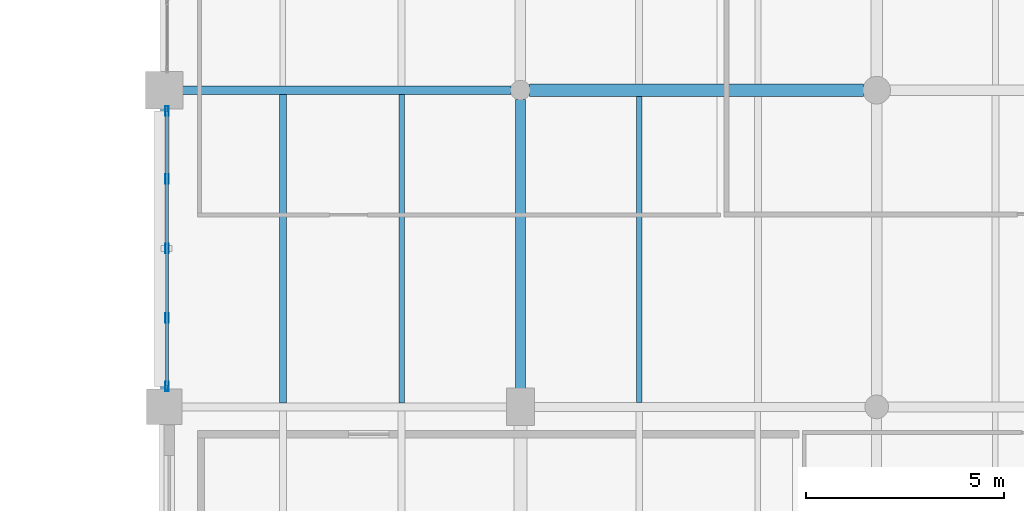
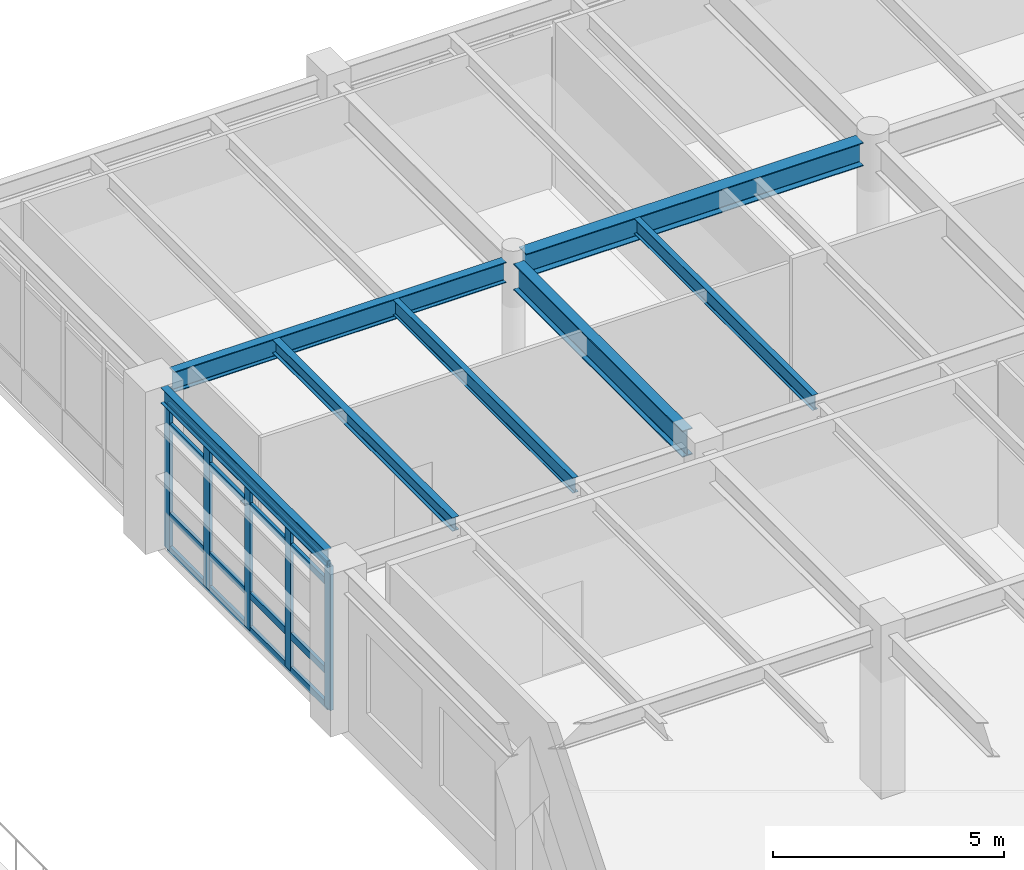
# One storey, part 87 of 168: 9 members, 7 beams, 1 element without a shape of its own.
"""IFC4 building model written with IfcOpenShell, lengths in metres."""

import ifcopenshell
import ifcopenshell.guid

model = None  # the IFC model being written
_history = None  # IfcOwnerHistory: only IFC2X3 demands one
_inside = {}  # id of a spatial element -> (the spatial element, [elements in it])
_under = {}  # id of a project, library or spatial element -> (it, [spatial elements below it])
_declared = {}  # id of a project -> (the project, [libraries it declares])
_typed = {}  # id of a type object -> (the type object, [elements of that type])
_made_of = {}  # id of a material, layer set ... -> (it, [elements and type objects made of it])


def new_model(schema):
    """Start an empty IFC model of exactly this schema.

    Asked for "IFC4X3", IfcOpenShell would pick the latest addendum, in which some entities
    have other attributes; the version numbers below select the first issue.
    IFC2X3 requires an IfcOwnerHistory on every rooted entity: one is made here for all.
    """
    global model, _history
    if schema == "IFC4X3":
        model = ifcopenshell.file(schema_version=(4, 3, 0, 0))
    else:
        model = ifcopenshell.file(schema=schema)
    _inside.clear()
    _under.clear()
    _declared.clear()
    _typed.clear()
    _made_of.clear()
    _history = None
    if model.schema == "IFC2X3":
        org = make("IfcOrganization", Name="unknown")
        user = make(
            "IfcPersonAndOrganization",
            ThePerson=make("IfcPerson", FamilyName="unknown"),
            TheOrganization=org,
        )
        app = make(
            "IfcApplication",
            ApplicationDeveloper=org,
            Version="unknown",
            ApplicationFullName="unknown",
            ApplicationIdentifier="unknown",
        )
        _history = make(
            "IfcOwnerHistory",
            OwningUser=user,
            OwningApplication=app,
            ChangeAction="ADDED",
            CreationDate=0,
        )
    return model


def make(cls, **values):
    """One entity of the class cls with the attributes given. An attribute that is None is left unset."""
    return model.create_entity(
        cls, **{name: value for name, value in values.items() if value is not None}
    )


def rooted(cls, **values):
    """An entity with a GlobalId (a new one), such as an element, a storey or a relation."""
    return make(cls, GlobalId=ifcopenshell.guid.new(), OwnerHistory=_history, **values)


def si_unit(unit_type, name, prefix=None):
    """IfcSIUnit, for example si_unit("LENGTHUNIT", "METRE", prefix="MILLI")."""
    return make("IfcSIUnit", UnitType=unit_type, Prefix=prefix, Name=name)


def assignment(units):
    """IfcUnitAssignment: the units of a project."""
    return None if units is None else make("IfcUnitAssignment", Units=units)


def point(xyz):
    """IfcCartesianPoint."""
    return None if xyz is None else make("IfcCartesianPoint", Coordinates=xyz)


def direction(xyz):
    """IfcDirection."""
    return None if xyz is None else make("IfcDirection", DirectionRatios=xyz)


def frame(location, z_axis=None, x_axis=None):
    """IfcAxis2Placement3D, a coordinate frame: its origin and axes. An axis left out is left unset."""
    return make(
        "IfcAxis2Placement3D",
        Location=point(location),
        Axis=direction(z_axis),
        RefDirection=direction(x_axis),
    )


def frame_2d(location, x_axis=None):
    """IfcAxis2Placement2D, a coordinate frame in the plane: its origin and x axis."""
    return make(
        "IfcAxis2Placement2D", Location=point(location), RefDirection=direction(x_axis)
    )


def origin():
    """The frame at (0, 0, 0) with its axes left unset."""
    return frame((0.0, 0.0, 0.0))


def origin_2d():
    """The frame at (0, 0) in the plane with its x axis left unset."""
    return frame_2d((0.0, 0.0))


def place(relative_to, where):
    """IfcLocalPlacement: puts the frame where relative to a parent placement (None: the world)."""
    return make(
        "IfcLocalPlacement", PlacementRelTo=relative_to, RelativePlacement=where
    )


def context(
    kind, dimensions, precision=None, world=None, true_north=None, identifier=None
):
    """IfcGeometricRepresentationContext, for example the 3D "Model" context."""
    return make(
        "IfcGeometricRepresentationContext",
        ContextIdentifier=identifier,
        ContextType=kind,
        CoordinateSpaceDimension=dimensions,
        Precision=precision,
        WorldCoordinateSystem=world,
        TrueNorth=true_north,
    )


def subcontext(parent, identifier, kind, view, scale=None):
    """IfcGeometricRepresentationSubContext, for example "Body" below "Model"."""
    return make(
        "IfcGeometricRepresentationSubContext",
        ContextIdentifier=identifier,
        ContextType=kind,
        ParentContext=parent,
        TargetScale=scale,
        TargetView=view,
    )


def project(units=None, contexts=None):
    """IfcProject with its units and contexts."""
    return rooted(
        "IfcProject",
        Name="project",
        RepresentationContexts=contexts,
        UnitsInContext=assignment(units),
    )


def spatial(cls, under=None, at=None, **own):
    """A site, building, storey or space (cls), placed at a placement, below another one or the project."""
    s = rooted(cls, ObjectPlacement=at, **own)
    if under is not None:
        _under.setdefault(under.id(), (under, []))[1].append(s)
    return s


def profile(cls, at=None, kind="AREA", **sizes):
    """A parametric profile (cls). Its sizes go by their IFC names, for example OverallWidth=200.0."""
    return make(cls, ProfileType=kind, Position=at, **sizes)


def hollow_rectangle(**sizes):
    """IfcRectangleHollowProfileDef."""
    return profile("IfcRectangleHollowProfileDef", **sizes)


def i_section(**sizes):
    """IfcIShapeProfileDef."""
    return profile("IfcIShapeProfileDef", **sizes)


def extrude(swept, where, along, depth):
    """IfcExtrudedAreaSolid: the profile swept, set in the frame where, extruded along a direction by depth."""
    return make(
        "IfcExtrudedAreaSolid",
        SweptArea=swept,
        Position=where,
        ExtrudedDirection=direction(along),
        Depth=depth,
    )


def shape(context_of_items, identifier, shape_type, items):
    """IfcShapeRepresentation: the items that make up one representation, for example the "Body"."""
    return make(
        "IfcShapeRepresentation",
        ContextOfItems=context_of_items,
        RepresentationIdentifier=identifier,
        RepresentationType=shape_type,
        Items=items,
    )


def material(Name=None, Category=None):
    """IfcMaterial."""
    return make("IfcMaterial", Name=Name, Category=Category)


def material_profile(
    of_material, cross_section, Name=None, Category=None, Priority=None
):
    """IfcMaterialProfile: a cross section and its material."""
    return make(
        "IfcMaterialProfile",
        Name=Name,
        Material=of_material,
        Profile=cross_section,
        Priority=Priority,
        Category=Category,
    )


def profile_set(profiles, Name=None, composite=None):
    """IfcMaterialProfileSet."""
    return make(
        "IfcMaterialProfileSet",
        Name=Name,
        MaterialProfiles=profiles,
        CompositeProfile=composite,
    )


def made_of(thing, what):
    """Note that an element or type object is made of a material, layer set ...; save() writes the relation."""
    if what is not None:
        _made_of.setdefault(what.id(), (what, []))[1].append(thing)
    return thing


def type_object(cls, material=None, **own):
    """A type object (cls), such as IfcWallType, which elements share."""
    return made_of(rooted(cls, **own), material)


def element(
    cls,
    number,
    at=None,
    inside=None,
    cuts=None,
    type_object=None,
    material=None,
    context=None,
    identifier="Body",
    shape_type=None,
    held_by="IfcProductDefinitionShape",
    body=None,
    shapes=None,
    **own,
):
    """One element of the class cls, such as IfcWall. Its Tag is "e" and its number.

    at: its placement. inside: the storey or other place that contains it. cuts: it is an
    opening in that element (IfcRelVoidsElement). A single representation is given by context,
    identifier, shape_type and body (its items); several are given by shapes. held_by: the class
    of the entity that holds the representations. save() writes the other relations.
    """
    e = rooted(cls, Tag="e%d" % number, ObjectPlacement=at, **own)
    if body is not None:
        shapes = [shape(context, identifier, shape_type, body)]
    if shapes is not None:
        e.Representation = make(held_by, Representations=shapes)
    if inside is not None:
        _inside.setdefault(inside.id(), (inside, []))[1].append(e)
    if cuts is not None:
        rooted(
            "IfcRelVoidsElement", RelatingBuildingElement=cuts, RelatedOpeningElement=e
        )
    if type_object is not None:
        _typed.setdefault(type_object.id(), (type_object, []))[1].append(e)
    return made_of(e, material)


def aggregate(whole, parts):
    """IfcRelAggregates: a whole, such as a stair, and the parts it consists of."""
    return rooted("IfcRelAggregates", RelatingObject=whole, RelatedObjects=parts)


def save(model, path):
    """Write the relations noted so far, then the file.

    IfcRelAggregates (storeys below a building ...), IfcRelContainedInSpatialStructure (elements
    in a storey), IfcRelDefinesByType, IfcRelAssociatesMaterial and IfcRelDeclares: one each for
    every whole, place, type object, material and project.
    """
    for whole, parts in _under.values():
        aggregate(whole, parts)
    for where, things in _inside.values():
        rooted(
            "IfcRelContainedInSpatialStructure",
            RelatedElements=things,
            RelatingStructure=where,
        )
    for kind, things in _typed.values():
        rooted("IfcRelDefinesByType", RelatedObjects=things, RelatingType=kind)
    for what, things in _made_of.values():
        rooted("IfcRelAssociatesMaterial", RelatedObjects=things, RelatingMaterial=what)
    for by, libraries in _declared.values():
        rooted("IfcRelDeclares", RelatingContext=by, RelatedDefinitions=libraries)
    model.write(path)


model = new_model("IFC4")

# Units and contexts
model_context = context("Model", 3, precision=1e-05, world=origin(), true_north=direction((0.0, 1.0)))
body_context = subcontext(model_context, "Body", "Model", "MODEL_VIEW")
ifc_project = project(units=[si_unit("LENGTHUNIT", "METRE"), si_unit("AREAUNIT", "SQUARE_METRE"), si_unit("VOLUMEUNIT", "CUBIC_METRE"), si_unit("PLANEANGLEUNIT", "RADIAN"), si_unit("MASSUNIT", "GRAM", prefix="KILO"), si_unit("THERMODYNAMICTEMPERATUREUNIT", "KELVIN"), si_unit("POWERUNIT", "WATT")], contexts=[model_context])

# Site, building, storey
site_placement = place(None, origin())
site = spatial("IfcSite", under=ifc_project, at=site_placement, CompositionType="ELEMENT")
building_placement = place(site_placement, origin())
building = spatial("IfcBuilding", under=site, at=building_placement, Name="Tepalcoro Natatorium and Aquatics Centre", CompositionType="ELEMENT")
storey_placement = place(building_placement, frame((0.0, 0.0, 10.199951171875)))
storey = spatial("IfcBuildingStorey", under=building, at=storey_placement, Name="L02", CompositionType="ELEMENT", Elevation=10.199951171875)

# Beams
ifc_material_1 = material(Name="Steel ASTM A992 Grade 50 (Fy 345 MPa)", Category="steel")
ifc_material_profile_1 = material_profile(ifc_material_1, i_section(OverallWidth=0.2119140625, OverallDepth=0.5439453125, WebThickness=0.012939453125, FlangeThickness=0.02099609375, FilletRadius=0.013916015625, at=origin_2d()), Name="W21X83")
ifc_profile_set_1 = profile_set([ifc_material_profile_1], Name="Steel ASTM A992 Grade 50 (Fy 345 MPa)")
beam_type_1 = type_object("IfcBeamType", Name="BM_W21x83", PredefinedType="BEAM", material=ifc_profile_set_1)
beam_1_placement = place(storey_placement, frame((98.4599609375, 110.0, 4.012939453125), z_axis=(1.0, 0.0, 0.0), x_axis=(0.0, 1.0, 0.0)))
element("IfcBeam", 1, at=beam_1_placement, inside=storey, type_object=beam_type_1, Name="V5 L02 Grid Girder X", PredefinedType="BEAM", context=body_context, shape_type="SweptSolid", body=[
    extrude(i_section(OverallWidth=0.2119140625, OverallDepth=0.5439453125, WebThickness=0.012939453125, FlangeThickness=0.02099609375, FilletRadius=0.013916015625, at=origin_2d()), origin(), (0.0, 0.0, 1.0), 8.304931640625),
])
ifc_material_profile_2 = material_profile(ifc_material_1, i_section(OverallWidth=0.324951171875, OverallDepth=0.616943359375, WebThickness=0.013916015625, FlangeThickness=0.02197265625, FilletRadius=0.013916015625, at=origin_2d()), Name="W24X117")
ifc_profile_set_2 = profile_set([ifc_material_profile_2], Name="Steel ASTM A992 Grade 50 (Fy 345 MPa)")
beam_type_2 = type_object("IfcBeamType", Name="BM_W24x117", PredefinedType="BEAM", material=ifc_profile_set_2)
beam_2_placement = place(storey_placement, frame((107.235107421875, 110.0, 4.056640625), z_axis=(1.0, 0.0, 0.0), x_axis=(0.0, 1.0, 0.0)))
element("IfcBeam", 2, at=beam_2_placement, inside=storey, type_object=beam_type_2, Name="V5 L02 Grid Girder X", PredefinedType="BEAM", context=body_context, shape_type="SweptSolid", body=[
    extrude(i_section(OverallWidth=0.324951171875, OverallDepth=0.616943359375, WebThickness=0.013916015625, FlangeThickness=0.02197265625, FilletRadius=0.013916015625, at=origin_2d()), origin(), (0.0, 0.0, 1.0), 8.429931640625),
])
ifc_material_profile_3 = material_profile(ifc_material_1, i_section(OverallWidth=0.25390625, OverallDepth=0.700927734375, WebThickness=0.014892578125, FlangeThickness=0.028076171875, FilletRadius=0.013916015625, at=origin_2d()), Name="W27X129")
ifc_profile_set_3 = profile_set([ifc_material_profile_3], Name="Steel ASTM A992 Grade 50 (Fy 345 MPa)")
beam_type_3 = type_object("IfcBeamType", Name="BM_W27x129", PredefinedType="BEAM", material=ifc_profile_set_3)
beam_3_placement = place(storey_placement, frame((107.0, 102.4599609375, 3.9345703125), z_axis=(0.0, 1.0, 0.0), x_axis=(-1.0, 0.0, 0.0)))
element("IfcBeam", 3, at=beam_3_placement, inside=storey, type_object=beam_type_3, Name="V5 L02 Grid Girder Y", PredefinedType="BEAM", context=body_context, shape_type="SweptSolid", body=[
    extrude(i_section(OverallWidth=0.25390625, OverallDepth=0.700927734375, WebThickness=0.014892578125, FlangeThickness=0.028076171875, FilletRadius=0.013916015625, at=origin_2d()), origin(), (0.0, 0.0, 1.0), 7.304931640625),
])

# Curtain wall, members
ifc_material_2 = material(Name="Bronze-Anodised Extruded Aluminium Alloy EN AW-6063 T6", Category="aluminium")
curtain_wall_type = type_object("IfcCurtainWallType", Name="CW_LEAN_T1_EW", PredefinedType="USERDEFINED", material=ifc_material_2)
curtain_wall_placement = place(storey_placement, origin())
curtain_wall = element("IfcCurtainWall", 4, at=curtain_wall_placement, inside=storey, type_object=curtain_wall_type, Name="V5 L02 W Unitised Curtain Wall Bay 3", ObjectType="FACETED SOLAR GLAZING", PredefinedType="USERDEFINED")
ifc_material_profile_4 = material_profile(ifc_material_2, hollow_rectangle(XDim=0.080078125, YDim=0.239990234375, WallThickness=0.0048828125, at=origin_2d()), Name="AL80X240X5")
ifc_profile_set_4 = profile_set([ifc_material_profile_4], Name="Bronze-Anodised Extruded Aluminium Alloy EN AW-6063 T6")
member_type_1 = type_object("IfcMemberType", Name="CW_MUL_80x240", PredefinedType="MULLION", material=ifc_profile_set_4)
member_1_placement = place(storey_placement, frame((98.0712890625, 102.52001953125, 0.02001953125), z_axis=(0.0, 0.0, 1.0), x_axis=(1.0, 0.0, 0.0)))
member_1 = element("IfcMember", 5, at=member_1_placement, type_object=member_type_1, Name="CW_LEAN_T1_EW Curtain Wall Mullion", PredefinedType="MULLION", context=body_context, shape_type="SweptSolid", body=[
    extrude(hollow_rectangle(XDim=0.080078125, YDim=0.239990234375, WallThickness=0.0048828125, at=origin_2d()), origin(), (0.0, 0.0, 1.0), 3.817138671875),
])
member_2_placement = place(storey_placement, frame((98.0712890625, 104.239990234375, 0.02001953125), z_axis=(0.0, 0.0, 1.0), x_axis=(1.0, 0.0, 0.0)))
member_2 = element("IfcMember", 6, at=member_2_placement, type_object=member_type_1, Name="CW_LEAN_T1_EW Curtain Wall Mullion", PredefinedType="MULLION", context=body_context, shape_type="SweptSolid", body=[
    extrude(hollow_rectangle(XDim=0.080078125, YDim=0.239990234375, WallThickness=0.0048828125, at=origin_2d()), origin(), (0.0, 0.0, 1.0), 3.817138671875),
])
member_3_placement = place(storey_placement, frame((98.0712890625, 106.0, 0.02001953125), z_axis=(0.0, 0.0, 1.0), x_axis=(1.0, 0.0, 0.0)))
member_3 = element("IfcMember", 7, at=member_3_placement, type_object=member_type_1, Name="CW_LEAN_T1_EW Curtain Wall Mullion", PredefinedType="MULLION", context=body_context, shape_type="SweptSolid", body=[
    extrude(hollow_rectangle(XDim=0.080078125, YDim=0.239990234375, WallThickness=0.0048828125, at=origin_2d()), origin(), (0.0, 0.0, 1.0), 3.817138671875),
])
member_4_placement = place(storey_placement, frame((98.0712890625, 107.760009765625, 0.02001953125), z_axis=(0.0, 0.0, 1.0), x_axis=(1.0, 0.0, 0.0)))
member_4 = element("IfcMember", 8, at=member_4_placement, type_object=member_type_1, Name="CW_LEAN_T1_EW Curtain Wall Mullion", PredefinedType="MULLION", context=body_context, shape_type="SweptSolid", body=[
    extrude(hollow_rectangle(XDim=0.080078125, YDim=0.239990234375, WallThickness=0.0048828125, at=origin_2d()), origin(), (0.0, 0.0, 1.0), 3.817138671875),
])
member_5_placement = place(storey_placement, frame((98.0712890625, 109.47998046875, 0.02001953125), z_axis=(0.0, 0.0, 1.0), x_axis=(1.0, 0.0, 0.0)))
member_5 = element("IfcMember", 9, at=member_5_placement, type_object=member_type_1, Name="CW_LEAN_T1_EW Curtain Wall Mullion", PredefinedType="MULLION", context=body_context, shape_type="SweptSolid", body=[
    extrude(hollow_rectangle(XDim=0.080078125, YDim=0.239990234375, WallThickness=0.0048828125, at=origin_2d()), origin(), (0.0, 0.0, 1.0), 3.817138671875),
])
ifc_material_profile_5 = material_profile(ifc_material_2, hollow_rectangle(XDim=0.080078125, YDim=0.179931640625, WallThickness=0.0048828125, at=origin_2d()), Name="AL80X180X5")
ifc_profile_set_5 = profile_set([ifc_material_profile_5], Name="Bronze-Anodised Extruded Aluminium Alloy EN AW-6063 T6")
member_type_2 = type_object("IfcMemberType", Name="CW_TRN_80x180", PredefinedType="USERDEFINED", material=ifc_profile_set_5)
member_6_placement = place(storey_placement, frame((98.0712890625, 102.530029296875, 0.050048828125), z_axis=(0.0, 1.0, 0.0), x_axis=(-1.0, 0.0, 0.0)))
member_6 = element("IfcMember", 10, at=member_6_placement, type_object=member_type_2, Name="CW_LEAN_T1_EW Curtain Wall Transom", ObjectType="TRANSOM", PredefinedType="USERDEFINED", context=body_context, shape_type="SweptSolid", body=[
    extrude(hollow_rectangle(XDim=0.080078125, YDim=0.179931640625, WallThickness=0.0048828125, at=origin_2d()), origin(), (0.0, 0.0, 1.0), 6.93994140625),
])
member_7_placement = place(storey_placement, frame((98.0712890625, 102.530029296875, 0.949951171875), z_axis=(0.0, 1.0, 0.0), x_axis=(-1.0, 0.0, 0.0)))
member_7 = element("IfcMember", 11, at=member_7_placement, type_object=member_type_2, Name="CW_LEAN_T1_EW Curtain Wall Transom", ObjectType="TRANSOM", PredefinedType="USERDEFINED", context=body_context, shape_type="SweptSolid", body=[
    extrude(hollow_rectangle(XDim=0.080078125, YDim=0.179931640625, WallThickness=0.0048828125, at=origin_2d()), origin(), (0.0, 0.0, 1.0), 6.93994140625),
])
member_8_placement = place(storey_placement, frame((98.0712890625, 102.530029296875, 3.30712890625), z_axis=(0.0, 1.0, 0.0), x_axis=(-1.0, 0.0, 0.0)))
member_8 = element("IfcMember", 12, at=member_8_placement, type_object=member_type_2, Name="CW_LEAN_T1_EW Curtain Wall Transom", ObjectType="TRANSOM", PredefinedType="USERDEFINED", context=body_context, shape_type="SweptSolid", body=[
    extrude(hollow_rectangle(XDim=0.080078125, YDim=0.179931640625, WallThickness=0.0048828125, at=origin_2d()), origin(), (0.0, 0.0, 1.0), 6.93994140625),
])
member_9_placement = place(storey_placement, frame((98.0712890625, 102.530029296875, 3.80712890625), z_axis=(0.0, 1.0, 0.0), x_axis=(-1.0, 0.0, 0.0)))
member_9 = element("IfcMember", 13, at=member_9_placement, type_object=member_type_2, Name="CW_LEAN_T1_EW Curtain Wall Transom", ObjectType="TRANSOM", PredefinedType="USERDEFINED", context=body_context, shape_type="SweptSolid", body=[
    extrude(hollow_rectangle(XDim=0.080078125, YDim=0.179931640625, WallThickness=0.0048828125, at=origin_2d()), origin(), (0.0, 0.0, 1.0), 6.93994140625),
])
aggregate(curtain_wall, [member_1, member_2, member_3, member_4, member_5, member_6, member_7, member_8, member_9])

# Beams
ifc_material_profile_6 = material_profile(ifc_material_1, i_section(OverallWidth=0.172119140625, OverallDepth=0.35791015625, WebThickness=0.008056640625, FlangeThickness=0.012939453125, FilletRadius=0.013916015625, at=origin_2d()), Name="W14X38")
ifc_profile_set_6 = profile_set([ifc_material_profile_6], Name="Steel ASTM A992 Grade 50 (Fy 345 MPa)")
beam_type_4 = type_object("IfcBeamType", Name="JS_W14x38", PredefinedType="JOIST", material=ifc_profile_set_6)
beam_4_placement = place(storey_placement, frame((101.0, 102.10498046875, 4.10595703125), z_axis=(0.0, 1.0, 0.0), x_axis=(-1.0, 0.0, 0.0)))
element("IfcBeam", 14, at=beam_4_placement, inside=storey, type_object=beam_type_4, Name="V5 L02 Floor Joist", PredefinedType="JOIST", context=body_context, shape_type="SweptSolid", body=[
    extrude(i_section(OverallWidth=0.172119140625, OverallDepth=0.35791015625, WebThickness=0.008056640625, FlangeThickness=0.012939453125, FilletRadius=0.013916015625, at=origin_2d()), origin(), (0.0, 0.0, 1.0), 7.7890625),
])
ifc_material_profile_7 = material_profile(ifc_material_1, i_section(OverallWidth=0.139892578125, OverallDepth=0.404052734375, WebThickness=0.007080078125, FlangeThickness=0.010986328125, FilletRadius=0.013916015625, at=origin_2d()), Name="W16X31")
ifc_profile_set_7 = profile_set([ifc_material_profile_7], Name="Steel ASTM A992 Grade 50 (Fy 345 MPa)")
beam_type_5 = type_object("IfcBeamType", Name="JS_W16x31", PredefinedType="JOIST", material=ifc_profile_set_7)
beam_5_placement = place(storey_placement, frame((104.0, 102.10498046875, 4.0830078125), z_axis=(0.0, 1.0, 0.0), x_axis=(-1.0, 0.0, 0.0)))
element("IfcBeam", 15, at=beam_5_placement, inside=storey, type_object=beam_type_5, Name="V5 L02 Floor Joist", PredefinedType="JOIST", context=body_context, shape_type="SweptSolid", body=[
    extrude(i_section(OverallWidth=0.139892578125, OverallDepth=0.404052734375, WebThickness=0.007080078125, FlangeThickness=0.010986328125, FilletRadius=0.013916015625, at=origin_2d()), origin(), (0.0, 0.0, 1.0), 7.7890625),
])
beam_6_placement = place(storey_placement, frame((110.0, 102.114990234375, 4.1630859375), z_axis=(0.0, 1.0, 0.0), x_axis=(-1.0, 0.0, 0.0)))
element("IfcBeam", 16, at=beam_6_placement, inside=storey, type_object=beam_type_5, Name="V5 L02 Floor Joist", PredefinedType="JOIST", context=body_context, shape_type="SweptSolid", body=[
    extrude(i_section(OverallWidth=0.139892578125, OverallDepth=0.404052734375, WebThickness=0.007080078125, FlangeThickness=0.010986328125, FilletRadius=0.013916015625, at=origin_2d()), origin(), (0.0, 0.0, 1.0), 7.722412109375),
])
ifc_material_profile_8 = material_profile(ifc_material_1, i_section(OverallWidth=0.179931640625, OverallDepth=0.4130859375, WebThickness=0.010009765625, FlangeThickness=0.01611328125, FilletRadius=0.013916015625, at=origin_2d()), Name="W16X50")
ifc_profile_set_8 = profile_set([ifc_material_profile_8], Name="Steel ASTM A992 Grade 50 (Fy 345 MPa)")
beam_type_6 = type_object("IfcBeamType", Name="SP_HSS300x200x12", PredefinedType="SPANDREL", material=ifc_profile_set_8)
beam_7_placement = place(storey_placement, frame((98.0, 102.43505859375, 4.07861328125), z_axis=(0.0, 1.0, 0.0), x_axis=(-1.0, 0.0, 0.0)))
element("IfcBeam", 17, at=beam_7_placement, inside=storey, type_object=beam_type_6, Name="V5 L02 Grid Girder Y", PredefinedType="SPANDREL", context=body_context, shape_type="SweptSolid", body=[
    extrude(i_section(OverallWidth=0.179931640625, OverallDepth=0.4130859375, WebThickness=0.010009765625, FlangeThickness=0.01611328125, FilletRadius=0.013916015625, at=origin_2d()), origin(), (0.0, 0.0, 1.0), 7.10498046875),
])

save(model, "model.ifc")
